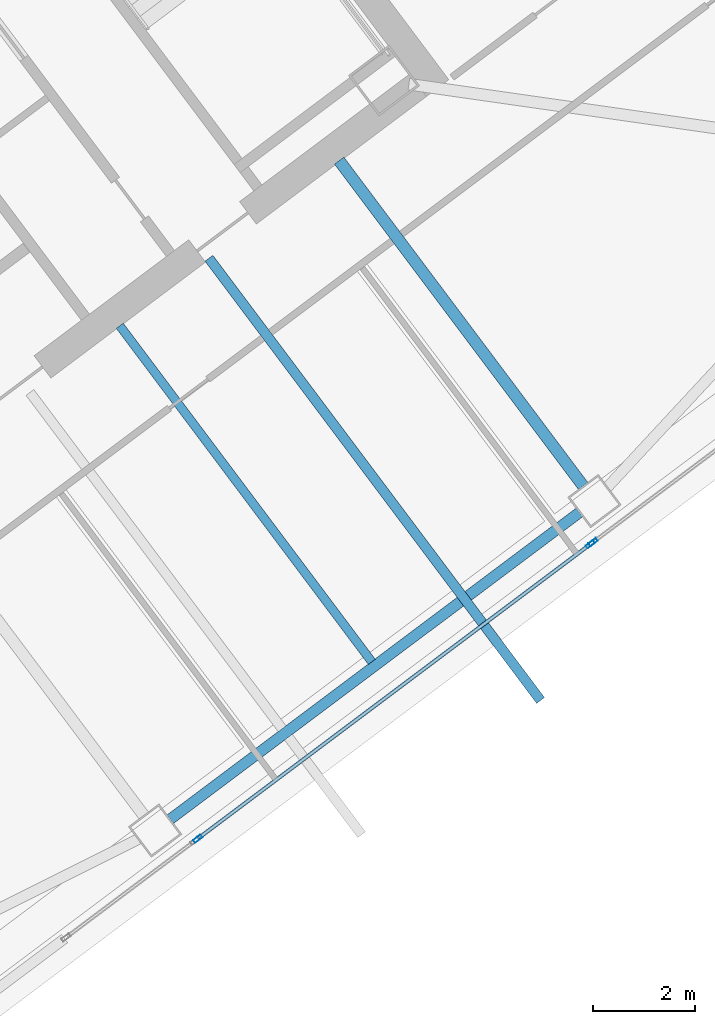
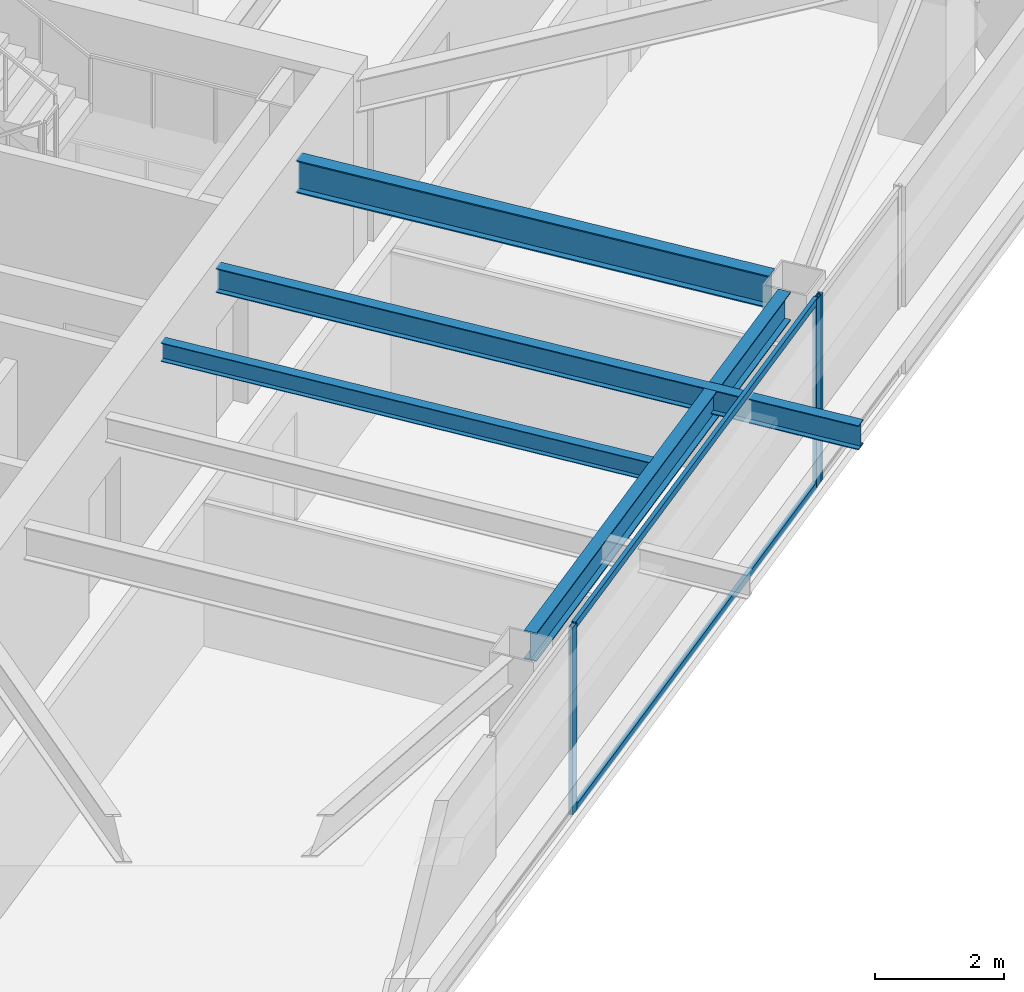
# One storey, part 24 of 42: 5 members, 4 beams, 2 elements without a shape of their own.
"""IFC4 building model written with IfcOpenShell, lengths in metres."""

from ifc_helpers import new_model, si_unit, direction, frame, origin, origin_2d, place, context, subcontext, project, spatial, hollow_rectangle, i_section, extrude, material, material_profile, profile_set, type_object, element, aggregate, save


model = new_model("IFC4")

# Units and contexts
model_context = context("Model", 3, precision=1e-05, world=origin(), true_north=direction((0.0, 1.0)))
body_context = subcontext(model_context, "Body", "Model", "MODEL_VIEW")
ifc_project = project(units=[si_unit("LENGTHUNIT", "METRE"), si_unit("AREAUNIT", "SQUARE_METRE"), si_unit("VOLUMEUNIT", "CUBIC_METRE"), si_unit("PLANEANGLEUNIT", "RADIAN"), si_unit("MASSUNIT", "GRAM", prefix="KILO")], contexts=[model_context])

# Site, building, storey
site_placement = place(None, origin())
site = spatial("IfcSite", under=ifc_project, at=site_placement, CompositionType="ELEMENT")
building_placement = place(site_placement, origin())
building = spatial("IfcBuilding", under=site, at=building_placement, Name="Tashvorn Skyway Center", CompositionType="ELEMENT")
storey_placement = place(building_placement, frame((0.0, 0.0, 164.10009765625)))
storey = spatial("IfcBuildingStorey", under=building, at=storey_placement, Name="L44", CompositionType="ELEMENT", Elevation=164.10009765625)

# Beams
ifc_material_1 = material(Name="Steel ASTM A992 Grade 50", Category="steel")
ifc_material_profile_1 = material_profile(ifc_material_1, i_section(OverallWidth=0.22998046875, OverallDepth=0.616943359375, WebThickness=0.01318359375, FlangeThickness=0.022216796875, at=origin_2d()), Name="W24X94")
ifc_profile_set_1 = profile_set([ifc_material_profile_1], Name="Steel ASTM A992 Grade 50")
beam_type_1 = type_object("IfcBeamType", Name="BM-BEAM-W24X94", PredefinedType="BEAM", material=ifc_profile_set_1)
beam_1_placement = place(storey_placement, frame((127.7880859375, 22.615966796875, 3.0615234375), z_axis=(-0.599995117266, 0.800003662027, 0.0), x_axis=(-0.800003662027, -0.599995117266, 0.0)))
element("IfcBeam", 1, at=beam_1_placement, inside=storey, type_object=beam_type_1, Name="Tower 2 L44 Primary Floor Girder FC-S2", PredefinedType="BEAM", context=body_context, shape_type="SweptSolid", body=[
    extrude(i_section(OverallWidth=0.22998046875, OverallDepth=0.616943359375, WebThickness=0.01318359375, FlangeThickness=0.022216796875, at=origin_2d()), origin(), (0.0, 0.0, 1.0), 8.000244140625),
])
ifc_material_profile_2 = material_profile(ifc_material_1, i_section(OverallWidth=0.1708984375, OverallDepth=0.35498046875, WebThickness=0.007080078125, FlangeThickness=0.01171875, at=origin_2d()), Name="W14X34")
ifc_profile_set_2 = profile_set([ifc_material_profile_2], Name="Steel ASTM A992 Grade 50")
beam_type_2 = type_object("IfcBeamType", Name="BM-JOIST-W14X34", PredefinedType="JOIST", material=ifc_profile_set_2)
beam_2_placement = place(storey_placement, frame((118.674072265625, 25.76806640625, 3.1923828125), z_axis=(0.59999527236, -0.800003545708, 0.0), x_axis=(0.800003545708, 0.59999527236, 0.0)))
element("IfcBeam", 2, at=beam_2_placement, inside=storey, type_object=beam_type_2, Name="Tower 2 L44 Secondary Composite Joist JS", PredefinedType="JOIST", context=body_context, shape_type="SweptSolid", body=[
    extrude(i_section(OverallWidth=0.1708984375, OverallDepth=0.35498046875, WebThickness=0.007080078125, FlangeThickness=0.01171875, at=origin_2d()), origin(), (0.0, 0.0, 1.0), 8.2626953125),
])
ifc_material_profile_3 = material_profile(ifc_material_1, i_section(OverallWidth=0.19091796875, OverallDepth=0.4599609375, WebThickness=0.010009765625, FlangeThickness=0.01611328125, at=origin_2d()), Name="W18X55")
ifc_profile_set_3 = profile_set([ifc_material_profile_3], Name="Steel ASTM A992 Grade 50")
beam_type_3 = type_object("IfcBeamType", Name="BM-JOIST-W18X55", PredefinedType="JOIST", material=ifc_profile_set_3)
beam_3_placement = place(storey_placement, frame((120.427978515625, 27.095947265625, 3.139892578125), z_axis=(0.599996406394, -0.800002695192, 0.0), x_axis=(0.800002695192, 0.599996406394, 0.0)))
element("IfcBeam", 3, at=beam_3_placement, inside=storey, type_object=beam_type_3, Name="Tower 2 L45 Terrace Cantilever Outlooker 2", PredefinedType="JOIST", context=body_context, shape_type="SweptSolid", body=[
    extrude(i_section(OverallWidth=0.19091796875, OverallDepth=0.4599609375, WebThickness=0.010009765625, FlangeThickness=0.01611328125, at=origin_2d()), origin(), (0.0, 0.0, 1.0), 10.8701171875),
])
ifc_material_profile_4 = material_profile(ifc_material_1, i_section(OverallWidth=0.2109375, OverallDepth=0.5390625, WebThickness=0.01171875, FlangeThickness=0.018798828125, at=origin_2d()), Name="W21X73")
ifc_profile_set_4 = profile_set([ifc_material_profile_4], Name="Steel ASTM A992 Grade 50")
beam_type_4 = type_object("IfcBeamType", Name="BM-SPANDREL-W21X73", PredefinedType="SPANDREL", material=ifc_profile_set_4)
beam_4_placement = place(storey_placement, frame((119.666015625, 16.06201171875, 3.100341796875), z_axis=(0.800008736549, 0.599988351091, 0.0), x_axis=(-0.599988351091, 0.800008736549, 0.0)))
element("IfcBeam", 4, at=beam_4_placement, inside=storey, type_object=beam_type_4, Name="Tower 2 L44 Spandrel Beam 02", PredefinedType="SPANDREL", context=body_context, shape_type="SweptSolid", body=[
    extrude(i_section(OverallWidth=0.2109375, OverallDepth=0.5390625, WebThickness=0.01171875, FlangeThickness=0.018798828125, at=origin_2d()), origin(), (0.0, 0.0, 1.0), 10.06005859375),
])

# Curtain wall, member
ifc_material_2 = material(Name="Thermally broken bronze-anodized aluminium 6063-T6", Category="aluminium")
curtain_wall_type = type_object("IfcCurtainWallType", Name="CW-CW-Z4", PredefinedType="NOTDEFINED", material=ifc_material_2)
curtain_wall_1_placement = place(storey_placement, origin())
curtain_wall_1 = element("IfcCurtainWall", 5, at=curtain_wall_1_placement, inside=storey, type_object=curtain_wall_type, Name="Tower 2 L44 South Unitised Curtain Wall Glazing Group 1", PredefinedType="NOTDEFINED")
ifc_material_profile_5 = material_profile(ifc_material_2, hollow_rectangle(XDim=0.070068359375, YDim=0.179931640625, WallThickness=0.00390625, at=origin_2d()), Name="ALU-MULL-70x180")
ifc_profile_set_5 = profile_set([ifc_material_profile_5], Name="Thermally broken bronze-anodized aluminium 6063-T6")
member_type_1 = type_object("IfcMemberType", Name="CWM-CW-Z4", PredefinedType="MULLION", material=ifc_profile_set_5)
member_1_placement = place(storey_placement, frame((127.98388671875, 21.512939453125, 0.0), z_axis=(0.0, 0.0, 1.0), x_axis=(0.600000000002, -0.799999999998, 0.0)))
member_1 = element("IfcMember", 6, at=member_1_placement, type_object=member_type_1, Name="CW-Z4 mullion 2", PredefinedType="MULLION", context=body_context, shape_type="SweptSolid", body=[
    extrude(hollow_rectangle(XDim=0.070068359375, YDim=0.179931640625, WallThickness=0.00390625, at=origin_2d()), origin(), (0.0, 0.0, 1.0), 3.5498046875),
])
aggregate(curtain_wall_1, [member_1])

# Curtain wall, members
curtain_wall_2_placement = place(storey_placement, origin())
curtain_wall_2 = element("IfcCurtainWall", 7, at=curtain_wall_2_placement, inside=storey, type_object=curtain_wall_type, Name="Tower 2 L44 South Unitised Curtain Wall Glazing Group 2", PredefinedType="NOTDEFINED")
member_2_placement = place(storey_placement, frame((127.927978515625, 21.470947265625, 0.0), z_axis=(0.0, 0.0, 1.0), x_axis=(0.600000000002, -0.799999999998, 0.0)))
member_2 = element("IfcMember", 8, at=member_2_placement, type_object=member_type_1, Name="CW-Z4 mullion 1", PredefinedType="MULLION", context=body_context, shape_type="SweptSolid", body=[
    extrude(hollow_rectangle(XDim=0.070068359375, YDim=0.179931640625, WallThickness=0.00390625, at=origin_2d()), origin(), (0.0, 0.0, 1.0), 3.5498046875),
])
member_3_placement = place(storey_placement, frame((120.2080078125, 15.680908203125, 0.0), z_axis=(0.0, 0.0, 1.0), x_axis=(0.600000000002, -0.799999999998, 0.0)))
member_3 = element("IfcMember", 9, at=member_3_placement, type_object=member_type_1, Name="CW-Z4 mullion 2", PredefinedType="MULLION", context=body_context, shape_type="SweptSolid", body=[
    extrude(hollow_rectangle(XDim=0.070068359375, YDim=0.179931640625, WallThickness=0.00390625, at=origin_2d()), origin(), (0.0, 0.0, 1.0), 3.5498046875),
])
ifc_material_profile_6 = material_profile(ifc_material_2, hollow_rectangle(XDim=0.070068359375, YDim=0.1298828125, WallThickness=0.00390625, at=origin_2d()), Name="ALU-TRAN-70x130")
ifc_profile_set_6 = profile_set([ifc_material_profile_6], Name="Thermally broken bronze-anodized aluminium 6063-T6")
member_type_2 = type_object("IfcMemberType", Name="CWT-CW-Z4", PredefinedType="USERDEFINED", material=ifc_profile_set_6)
member_4_placement = place(storey_placement, frame((127.89990234375, 21.449951171875, 0.034912109375), z_axis=(-0.799990825408, -0.600012232595, 0.0), x_axis=(0.600012232595, -0.799990825408, 0.0)))
member_4 = element("IfcMember", 10, at=member_4_placement, type_object=member_type_2, Name="CW-Z4 transom 1.1", ObjectType="TRANSOM", PredefinedType="USERDEFINED", context=body_context, shape_type="SweptSolid", body=[
    extrude(hollow_rectangle(XDim=0.070068359375, YDim=0.1298828125, WallThickness=0.00390625, at=origin_2d()), origin(), (0.0, 0.0, 1.0), 9.579833984375),
])
member_5_placement = place(storey_placement, frame((127.89990234375, 21.449951171875, 3.514892578125), z_axis=(-0.799990825408, -0.600012232595, 0.0), x_axis=(0.600012232595, -0.799990825408, 0.0)))
member_5 = element("IfcMember", 11, at=member_5_placement, type_object=member_type_2, Name="CW-Z4 transom 1.2", ObjectType="TRANSOM", PredefinedType="USERDEFINED", context=body_context, shape_type="SweptSolid", body=[
    extrude(hollow_rectangle(XDim=0.070068359375, YDim=0.1298828125, WallThickness=0.00390625, at=origin_2d()), origin(), (0.0, 0.0, 1.0), 9.579833984375),
])
aggregate(curtain_wall_2, [member_2, member_3, member_4, member_5])

save(model, "model.ifc")
